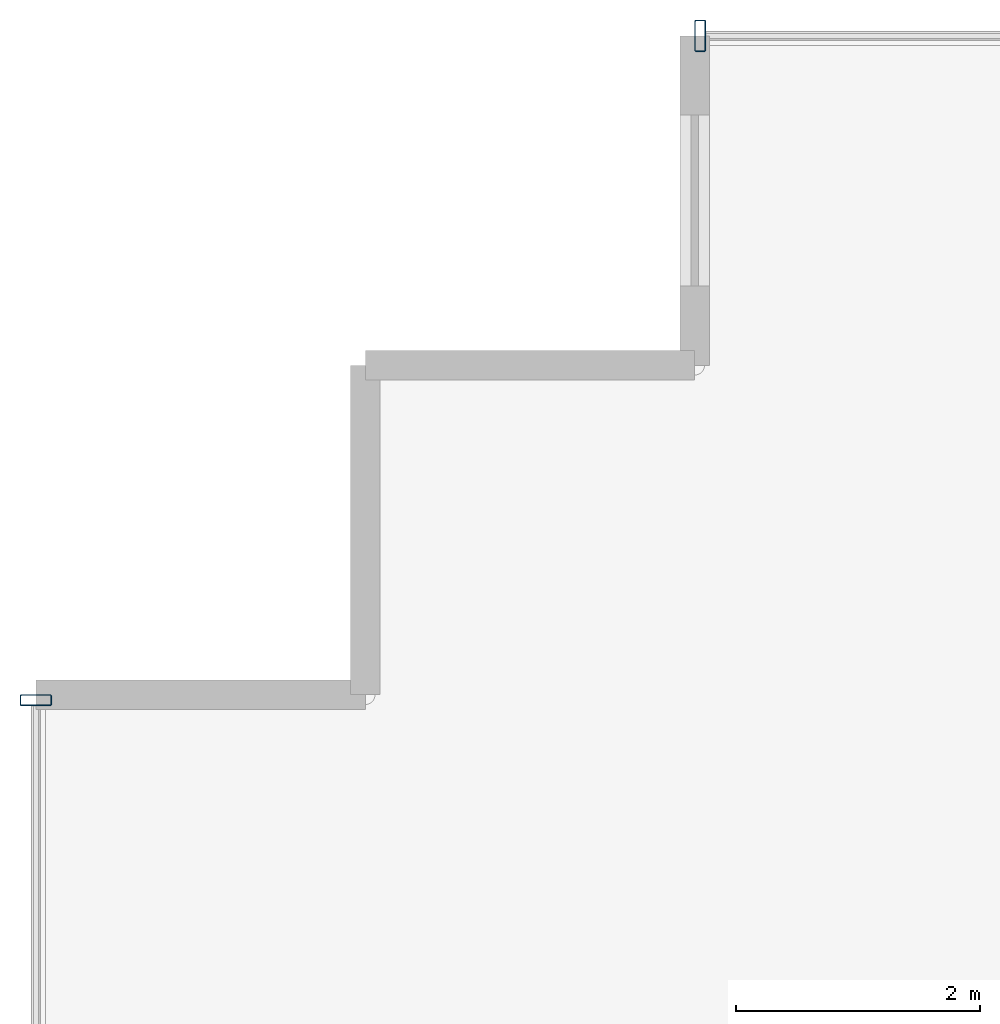
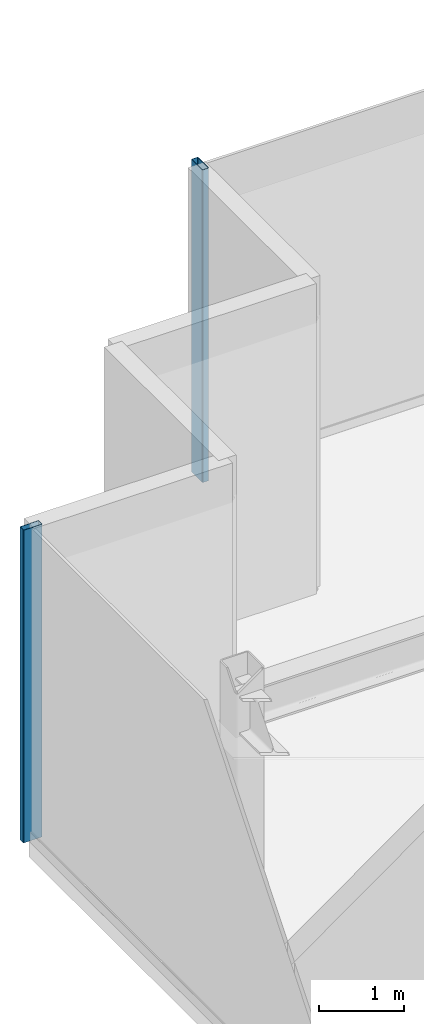
# One storey, part 9 of 17: 2 members, 2 elements without a shape of their own.
"""IFC4 building model written with IfcOpenShell, lengths in metres."""

from ifc_helpers import new_model, si_unit, direction, frame, origin, origin_2d, place, context, subcontext, project, spatial, hollow_rectangle, extrude, source, transform, mapped, material, layer, layer_set, material_profile, profile_set, type_object, element, aggregate, save


model = new_model("IFC4")

# Units and contexts
model_context = context("Model", 3, precision=1e-05, world=origin(), true_north=direction((0.0, 1.0)))
body_context = subcontext(model_context, "Body", "Model", "MODEL_VIEW")
ifc_project = project(units=[si_unit("LENGTHUNIT", "METRE"), si_unit("AREAUNIT", "SQUARE_METRE"), si_unit("VOLUMEUNIT", "CUBIC_METRE"), si_unit("PLANEANGLEUNIT", "RADIAN"), si_unit("MASSUNIT", "GRAM", prefix="KILO")], contexts=[model_context])

# Site, building, storey
site_placement = place(None, origin())
site = spatial("IfcSite", under=ifc_project, at=site_placement, CompositionType="ELEMENT")
building_placement = place(site_placement, origin())
building = spatial("IfcBuilding", under=site, at=building_placement, Name="Nefas-Gora Pilgrimage Tower", CompositionType="ELEMENT")
storey_placement = place(building_placement, frame((0.0, 0.0, 349.0)))
storey = spatial("IfcBuildingStorey", under=building, at=storey_placement, Name="L88", CompositionType="ELEMENT", Elevation=349.0)

# Curtain wall, member
ifc_material_1 = material(Name="Dark ceramic-fritted solar-control aluminium-glass curtain wall", Category="aluminium")
ifc_layer = layer(ifc_material_1, 0.219970703125)
ifc_layer_set = layer_set([ifc_layer], Name="Dark ceramic-fritted solar-control aluminium-glass curtain wall")
curtain_wall_type = type_object("IfcCurtainWallType", Name="CW-SYS-6", PredefinedType="NOTDEFINED", material=ifc_layer_set)
curtain_wall_1_placement = place(storey_placement, origin())
curtain_wall_1 = element("IfcCurtainWall", 1, at=curtain_wall_1_placement, inside=storey, type_object=curtain_wall_type, Name="L88 Unitised Curtain Wall CW6", PredefinedType="NOTDEFINED")
ifc_material_2 = material(Name="Anodised architectural aluminium", Category="aluminium")
ifc_material_profile = material_profile(ifc_material_2, hollow_rectangle(XDim=0.090087890625, YDim=0.260009765625, WallThickness=0.006103515625, InnerFilletRadius=0.006103515625, OuterFilletRadius=0.011962890625, at=origin_2d()), Name="ALU MULLION 90x260")
ifc_profile_set = profile_set([ifc_material_profile], Name="Anodised architectural aluminium")
member_type = type_object("IfcMemberType", Name="CWM-MUL-6", PredefinedType="MULLION", material=ifc_profile_set)
shared_shape = source(origin(), body_context, "Body", "SweptSolid", [
    extrude(hollow_rectangle(XDim=0.090087890625, YDim=0.260009765625, WallThickness=0.006103515625, InnerFilletRadius=0.006103515625, OuterFilletRadius=0.011962890625, at=origin_2d()), origin(), (0.0, 0.0, 1.0), 4.5),
])
member_1_placement = place(storey_placement, frame((-19.824951171875, 23.02001953125, 0.0), z_axis=(0.0, 0.0, 1.0), x_axis=(-1.0, 0.0, 0.0)))
member_1 = element("IfcMember", 2, at=member_1_placement, type_object=member_type, Name="CW6 Mullion 2", PredefinedType="MULLION", context=body_context, shape_type="MappedRepresentation", body=[
    mapped(shared_shape, transform((0.0, 0.0, 0.0), x_axis=(1.0, 0.0, 0.0), y_axis=(0.0, 1.0, 0.0), z_axis=(0.0, 0.0, 1.0), scale=1.0)),
])
aggregate(curtain_wall_1, [member_1])

curtain_wall_2_placement = place(storey_placement, origin())
curtain_wall_2 = element("IfcCurtainWall", 3, at=curtain_wall_2_placement, inside=storey, type_object=curtain_wall_type, Name="L88 Unitised Curtain Wall CW6", PredefinedType="NOTDEFINED")
member_2_placement = place(storey_placement, frame((-25.27001953125, 17.574951171875, 0.0), z_axis=(0.0, 0.0, 1.0), x_axis=(0.0, -1.0, 0.0)))
member_2 = element("IfcMember", 4, at=member_2_placement, type_object=member_type, Name="CW6 Mullion 1", PredefinedType="MULLION", context=body_context, shape_type="MappedRepresentation", body=[
    mapped(shared_shape, transform((0.0, 0.0, 0.0), x_axis=(1.0, 0.0, 0.0), y_axis=(0.0, 1.0, 0.0), z_axis=(0.0, 0.0, 1.0), scale=1.0)),
])
aggregate(curtain_wall_2, [member_2])

save(model, "model.ifc")
